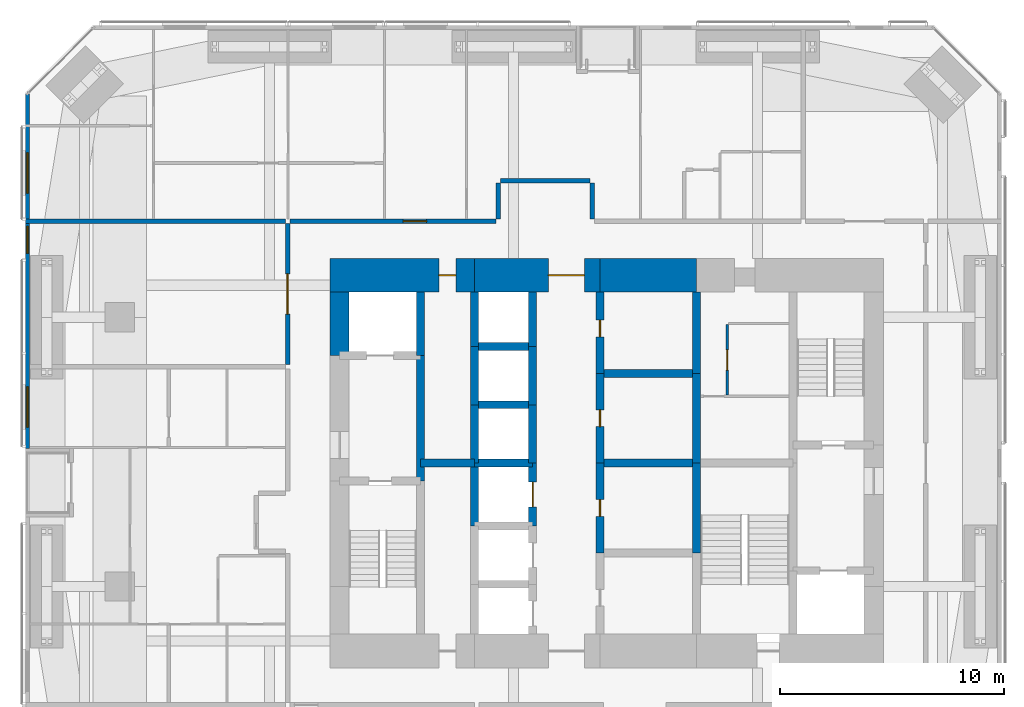
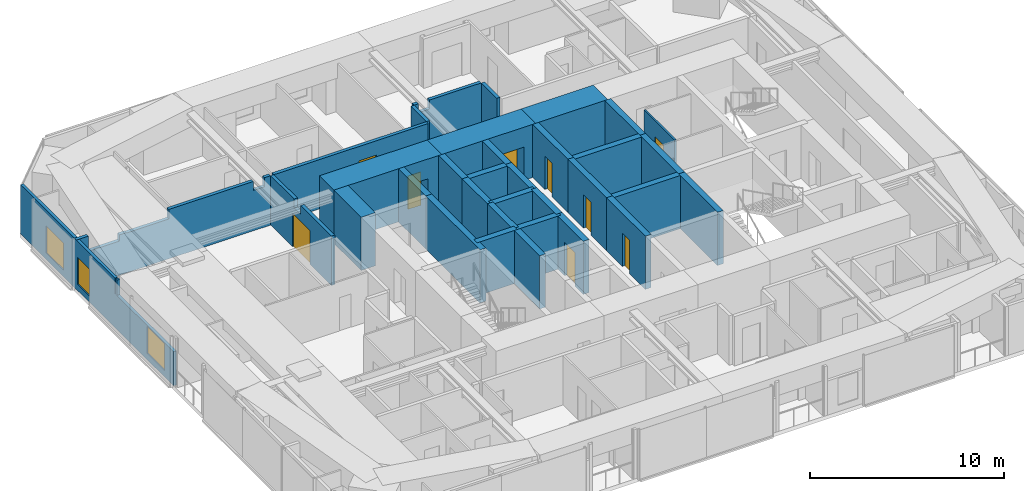
# One storey, part 19 of 23: 34 walls, 9 doors, 3 windows, 12 openings.
"""IFC4 building model written with IfcOpenShell, lengths in metres."""

from ifc_helpers import new_model, si_unit, direction, frame, frame_2d, origin, place, context, subcontext, project, spatial, polyline, rectangle, outline, extrude, material, layer, layer_set, constituent, constituent_set, type_object, element, fill, save


model = new_model("IFC4")

# Units and contexts
model_context = context("Model", 3, precision=1e-05, world=origin(), true_north=direction((0.0, 1.0)))
body_context = subcontext(model_context, "Body", "Model", "MODEL_VIEW")
ifc_project = project(units=[si_unit("LENGTHUNIT", "METRE"), si_unit("AREAUNIT", "SQUARE_METRE"), si_unit("VOLUMEUNIT", "CUBIC_METRE"), si_unit("PLANEANGLEUNIT", "RADIAN"), si_unit("MASSUNIT", "GRAM", prefix="KILO")], contexts=[model_context])

# Site, building, storey
site_placement = place(None, origin())
site = spatial("IfcSite", under=ifc_project, at=site_placement, CompositionType="ELEMENT")
building_placement = place(site_placement, origin())
building = spatial("IfcBuilding", under=site, at=building_placement, Name="Jalousie Tower", CompositionType="ELEMENT")
storey_placement = place(building_placement, frame((0.0, 0.0, 111.550048828125)))
storey = spatial("IfcBuildingStorey", under=building, at=storey_placement, Name="L30", CompositionType="ELEMENT", Elevation=111.550048828125)

# Wall
ifc_material_1 = material(Name="Concrete f'c 120 MPa", Category="concrete")
ifc_layer_1 = layer(ifc_material_1, 1.5)
ifc_layer_set_1 = layer_set([ifc_layer_1], Name="Concrete f'c 120 MPa")
wall_type_1 = type_object("IfcWallType", Name="CORE WALL 1500", PredefinedType="SHEAR", material=ifc_layer_set_1)
wall_1_placement = place(storey_placement, frame((35.89990234375, 26.875, 0.0), z_axis=(0.0, 0.0, 1.0), x_axis=(-1.0, 0.0, 0.0)))
element("IfcWall", 1, at=wall_1_placement, inside=storey, type_object=wall_type_1, Name="Core wall NB L30", PredefinedType="SHEAR", context=body_context, shape_type="SweptSolid", body=[
    extrude(rectangle(XDim=4.2998046875, YDim=1.5, at=frame_2d((2.14990234375, 0.0))), origin(), (0.0, 0.0, 1.0), 3.349853515625),
])

# Wall, opening, door
wall_2_placement = place(storey_placement, frame((31.60009765625, 26.875, 0.0), z_axis=(0.0, 0.0, 1.0), x_axis=(-1.0, 0.0, 0.0)))
wall_2 = element("IfcWall", 2, at=wall_2_placement, inside=storey, type_object=wall_type_1, Name="Core wall NC L30", PredefinedType="SHEAR", context=body_context, shape_type="SweptSolid", body=[
    extrude(rectangle(XDim=5.60009765625, YDim=1.5, at=frame_2d((2.800048828125, 0.0))), origin(), (0.0, 0.0, 1.0), 3.349853515625),
])
opening_1_placement = place(wall_2_placement, frame((0.699951171875, 0.0, 0.0)))
opening_1 = element("IfcOpeningElement", 3, at=opening_1_placement, cuts=wall_2, Name="Opening D15", PredefinedType="OPENING", context=body_context, shape_type="SweptSolid", body=[
    extrude(rectangle(XDim=1.60009765625, YDim=2.10009765625, at=frame_2d((0.800048828125, 1.050048828125))), frame((0.0, 0.760009765625, 0.0), z_axis=(0.0, -1.0, 0.0), x_axis=(1.0, 0.0, 0.0)), (0.0, 0.0, 1.0), 1.52001953125),
])
ifc_material_2 = material(Name="Steel fire door", Category="steel")
door_type_1 = type_object("IfcDoorType", Name="LIFT LOBBY DOOR 1600", OperationType="DOUBLE_DOOR_SINGLE_SWING", PredefinedType="DOOR", material=ifc_material_2)
door_1_placement = place(opening_1_placement, origin())
door_1 = element("IfcDoor", 4, at=door_1_placement, inside=storey, type_object=door_type_1, Name="Lift lobby north door", OperationType="DOUBLE_DOOR_SINGLE_SWING", OverallHeight=2.10009765625, OverallWidth=1.60009765625, PredefinedType="DOOR", context=body_context, shape_type="SweptSolid", body=[
    extrude(rectangle(XDim=1.60009765625, YDim=2.10009765625, at=frame_2d((0.800048828125, 1.050048828125))), frame((0.0, 0.02490234375, 0.0), z_axis=(0.0, -1.0, 0.0), x_axis=(1.0, 0.0, 0.0)), (0.0, 0.0, 1.0), 0.050048828125),
])
fill(opening_1, door_1)

wall_3_placement = place(storey_placement, frame((26.0, 26.875, 0.0), z_axis=(0.0, 0.0, 1.0), x_axis=(-1.0, 0.0, 0.0)))
wall_3 = element("IfcWall", 5, at=wall_3_placement, inside=storey, type_object=wall_type_1, Name="Core wall ND L30", PredefinedType="SHEAR", context=body_context, shape_type="SweptSolid", body=[
    extrude(rectangle(XDim=6.425048828125, YDim=1.5, at=frame_2d((3.21240234375, 0.0))), origin(), (0.0, 0.0, 1.0), 3.349853515625),
])
opening_2_placement = place(wall_3_placement, frame((0.824951171875, 0.0, 0.0)))
opening_2 = element("IfcOpeningElement", 6, at=opening_2_placement, cuts=wall_3, Name="Opening D16", PredefinedType="OPENING", context=body_context, shape_type="SweptSolid", body=[
    extrude(rectangle(XDim=0.75, YDim=2.10009765625, at=frame_2d((0.375, 1.050048828125))), frame((0.0, 0.760009765625, 0.0), z_axis=(0.0, -1.0, 0.0), x_axis=(1.0, 0.0, 0.0)), (0.0, 0.0, 1.0), 1.52001953125),
])
ifc_material_3 = material(Name="Steel fire door", Category="steel")
door_type_2 = type_object("IfcDoorType", Name="RISER DOOR 750", OperationType="SINGLE_SWING_LEFT", PredefinedType="DOOR", material=ifc_material_3)
door_2_placement = place(opening_2_placement, origin())
door_2 = element("IfcDoor", 7, at=door_2_placement, inside=storey, type_object=door_type_2, Name="North riser door", OperationType="SINGLE_SWING_RIGHT", OverallHeight=2.10009765625, OverallWidth=0.75, PredefinedType="DOOR", context=body_context, shape_type="SweptSolid", body=[
    extrude(rectangle(XDim=0.75, YDim=2.10009765625, at=frame_2d((0.375, 1.050048828125))), frame((0.0, 0.02490234375, 0.0), z_axis=(0.0, -1.0, 0.0), x_axis=(1.0, 0.0, 0.0)), (0.0, 0.0, 1.0), 0.050048828125),
])
fill(opening_2, door_2)

# Walls
ifc_material_4 = material(Name="Concrete f'c 120 MPa", Category="concrete")
ifc_layer_2 = layer(ifc_material_4, 0.35009765625)
ifc_layer_set_2 = layer_set([ifc_layer_2], Name="Concrete f'c 120 MPa")
wall_type_2 = type_object("IfcWallType", Name="CORE WALL 350", PredefinedType="SHEAR", material=ifc_layer_set_2)
wall_4_placement = place(storey_placement, frame((23.60009765625, 17.699951171875, 0.0), z_axis=(0.0, 0.0, 1.0), x_axis=(0.0, 1.0, 0.0)))
element("IfcWall", 8, at=wall_4_placement, inside=storey, type_object=wall_type_2, Name="Core wall X23.6B L30", PredefinedType="SHEAR", context=body_context, shape_type="SweptSolid", body=[
    extrude(rectangle(XDim=5.60009765625, YDim=0.35009765625, at=frame_2d((2.800048828125, 0.0))), origin(), (0.0, 0.0, 1.0), 3.349853515625),
])
wall_5_placement = place(storey_placement, frame((23.60009765625, 23.300048828125, 0.0), z_axis=(0.0, 0.0, 1.0), x_axis=(0.0, 1.0, 0.0)))
element("IfcWall", 9, at=wall_5_placement, inside=storey, type_object=wall_type_2, Name="Core wall X23.6C L30", PredefinedType="SHEAR", context=body_context, shape_type="SweptSolid", body=[
    extrude(rectangle(XDim=2.824951171875, YDim=0.35009765625, at=frame_2d((1.41259765625, 0.0))), origin(), (0.0, 0.0, 1.0), 3.349853515625),
])
wall_6_placement = place(storey_placement, frame((26.0, 15.699951171875, 0.0), z_axis=(0.0, 0.0, 1.0), x_axis=(0.0, 1.0, 0.0)))
element("IfcWall", 10, at=wall_6_placement, inside=storey, type_object=wall_type_2, Name="Core wall X26C L30", PredefinedType="SHEAR", context=body_context, shape_type="SweptSolid", body=[
    extrude(rectangle(XDim=2.800048828125, YDim=0.35009765625, at=frame_2d((1.39990234375, 0.0))), origin(), (0.0, 0.0, 1.0), 3.349853515625),
])
wall_7_placement = place(storey_placement, frame((26.0, 18.5, 0.0), z_axis=(0.0, 0.0, 1.0), x_axis=(0.0, 1.0, 0.0)))
element("IfcWall", 11, at=wall_7_placement, inside=storey, type_object=wall_type_2, Name="Core wall X26D L30", PredefinedType="SHEAR", context=body_context, shape_type="SweptSolid", body=[
    extrude(rectangle(XDim=2.60009765625, YDim=0.35009765625, at=frame_2d((1.300048828125, 0.0))), origin(), (0.0, 0.0, 1.0), 3.349853515625),
])
wall_8_placement = place(storey_placement, frame((26.0, 21.10009765625, 0.0), z_axis=(0.0, 0.0, 1.0), x_axis=(0.0, 1.0, 0.0)))
element("IfcWall", 12, at=wall_8_placement, inside=storey, type_object=wall_type_2, Name="Core wall X26E L30", PredefinedType="SHEAR", context=body_context, shape_type="SweptSolid", body=[
    extrude(rectangle(XDim=2.599853515625, YDim=0.35009765625, at=frame_2d((1.2998046875, 0.0))), origin(), (0.0, 0.0, 1.0), 3.349853515625),
])
wall_9_placement = place(storey_placement, frame((26.0, 23.699951171875, 0.0), z_axis=(0.0, 0.0, 1.0), x_axis=(0.0, 1.0, 0.0)))
element("IfcWall", 13, at=wall_9_placement, inside=storey, type_object=wall_type_2, Name="Core wall X26F L30", PredefinedType="SHEAR", context=body_context, shape_type="SweptSolid", body=[
    extrude(rectangle(XDim=2.425048828125, YDim=0.35009765625, at=frame_2d((1.21240234375, 0.0))), origin(), (0.0, 0.0, 1.0), 3.349853515625),
])

# Wall, opening, door
wall_10_placement = place(storey_placement, frame((28.60009765625, 15.699951171875, 0.0), z_axis=(0.0, 0.0, 1.0), x_axis=(0.0, 1.0, 0.0)))
wall_10 = element("IfcWall", 14, at=wall_10_placement, inside=storey, type_object=wall_type_2, Name="Core wall X28.6C L30", PredefinedType="SHEAR", context=body_context, shape_type="SweptSolid", body=[
    extrude(rectangle(XDim=2.800048828125, YDim=0.35009765625, at=frame_2d((1.39990234375, 0.0))), origin(), (0.0, 0.0, 1.0), 3.349853515625),
])
opening_3_placement = place(wall_10_placement, frame((0.85009765625, 0.0, 0.0)))
opening_3 = element("IfcOpeningElement", 15, at=opening_3_placement, cuts=wall_10, Name="Opening LD1", PredefinedType="OPENING", context=body_context, shape_type="SweptSolid", body=[
    extrude(rectangle(XDim=1.10009765625, YDim=2.10009765625, at=frame_2d((0.550048828125, 1.050048828125))), frame((0.0, 0.18505859375, 0.0), z_axis=(0.0, -1.0, 0.0), x_axis=(1.0, 0.0, 0.0)), (0.0, 0.0, 1.0), 0.3701171875),
])
ifc_material_5 = material(Name="Steel lift landing door", Category="steel")
door_type_3 = type_object("IfcDoorType", Name="LIFT LANDING DOOR 1100", OperationType="SLIDING_TO_LEFT", PredefinedType="DOOR", material=ifc_material_5)
door_3_placement = place(opening_3_placement, origin())
door_3 = element("IfcDoor", 16, at=door_3_placement, inside=storey, type_object=door_type_3, Name="Lift P3 landing door", OperationType="SLIDING_TO_LEFT", OverallHeight=2.10009765625, OverallWidth=1.10009765625, PredefinedType="DOOR", context=body_context, shape_type="SweptSolid", body=[
    extrude(rectangle(XDim=1.10009765625, YDim=2.10009765625, at=frame_2d((0.550048828125, 1.050048828125))), frame((0.0, 0.02490234375, 0.0), z_axis=(0.0, -1.0, 0.0), x_axis=(1.0, 0.0, 0.0)), (0.0, 0.0, 1.0), 0.050048828125),
])
fill(opening_3, door_3)

# Walls
wall_11_placement = place(storey_placement, frame((28.60009765625, 18.5, 0.0), z_axis=(0.0, 0.0, 1.0), x_axis=(0.0, 1.0, 0.0)))
element("IfcWall", 17, at=wall_11_placement, inside=storey, type_object=wall_type_2, Name="Core wall X28.6D L30", PredefinedType="SHEAR", context=body_context, shape_type="SweptSolid", body=[
    extrude(rectangle(XDim=2.60009765625, YDim=0.35009765625, at=frame_2d((1.300048828125, 0.0))), origin(), (0.0, 0.0, 1.0), 3.349853515625),
])
wall_12_placement = place(storey_placement, frame((28.60009765625, 21.10009765625, 0.0), z_axis=(0.0, 0.0, 1.0), x_axis=(0.0, 1.0, 0.0)))
element("IfcWall", 18, at=wall_12_placement, inside=storey, type_object=wall_type_2, Name="Core wall X28.6E L30", PredefinedType="SHEAR", context=body_context, shape_type="SweptSolid", body=[
    extrude(rectangle(XDim=2.599853515625, YDim=0.35009765625, at=frame_2d((1.2998046875, 0.0))), origin(), (0.0, 0.0, 1.0), 3.349853515625),
])
wall_13_placement = place(storey_placement, frame((28.60009765625, 23.699951171875, 0.0), z_axis=(0.0, 0.0, 1.0), x_axis=(0.0, 1.0, 0.0)))
element("IfcWall", 19, at=wall_13_placement, inside=storey, type_object=wall_type_2, Name="Core wall X28.6F L30", PredefinedType="SHEAR", context=body_context, shape_type="SweptSolid", body=[
    extrude(rectangle(XDim=2.425048828125, YDim=0.35009765625, at=frame_2d((1.21240234375, 0.0))), origin(), (0.0, 0.0, 1.0), 3.349853515625),
])

# Wall, opening, door
wall_14_placement = place(storey_placement, frame((31.60009765625, 14.5, 0.0), z_axis=(0.0, 0.0, 1.0), x_axis=(0.0, 1.0, 0.0)))
wall_14 = element("IfcWall", 20, at=wall_14_placement, inside=storey, type_object=wall_type_2, Name="Core wall X31.6B L30", PredefinedType="SHEAR", context=body_context, shape_type="SweptSolid", body=[
    extrude(rectangle(XDim=4.0, YDim=0.35009765625, at=frame_2d((2.0, 0.0))), origin(), (0.0, 0.0, 1.0), 3.349853515625),
])
opening_4_placement = place(wall_14_placement, frame((1.625, 0.0, 0.0)))
opening_4 = element("IfcOpeningElement", 21, at=opening_4_placement, cuts=wall_14, Name="Opening D16", PredefinedType="OPENING", context=body_context, shape_type="SweptSolid", body=[
    extrude(rectangle(XDim=0.75, YDim=2.10009765625, at=frame_2d((0.375, 1.050048828125))), frame((0.0, 0.18505859375, 0.0), z_axis=(0.0, -1.0, 0.0), x_axis=(1.0, 0.0, 0.0)), (0.0, 0.0, 1.0), 0.3701171875),
])
door_4_placement = place(opening_4_placement, frame((0.75, 0.0, 0.0), z_axis=(0.0, 0.0, 1.0), x_axis=(-1.0, 0.0, 0.0)))
door_4 = element("IfcDoor", 22, at=door_4_placement, inside=storey, type_object=door_type_2, Name="Electrical Room door", OperationType="SINGLE_SWING_RIGHT", OverallHeight=2.10009765625, OverallWidth=0.75, PredefinedType="DOOR", context=body_context, shape_type="SweptSolid", body=[
    extrude(rectangle(XDim=0.75, YDim=2.10009765625, at=frame_2d((0.375, 1.050048828125))), frame((0.0, 0.02490234375, 0.0), z_axis=(0.0, -1.0, 0.0), x_axis=(1.0, 0.0, 0.0)), (0.0, 0.0, 1.0), 0.050048828125),
])
fill(opening_4, door_4)

wall_15_placement = place(storey_placement, frame((31.60009765625, 18.5, 0.0), z_axis=(0.0, 0.0, 1.0), x_axis=(0.0, 1.0, 0.0)))
wall_15 = element("IfcWall", 23, at=wall_15_placement, inside=storey, type_object=wall_type_2, Name="Core wall X31.6C L30", PredefinedType="SHEAR", context=body_context, shape_type="SweptSolid", body=[
    extrude(rectangle(XDim=4.0, YDim=0.35009765625, at=frame_2d((2.0, 0.0))), origin(), (0.0, 0.0, 1.0), 3.349853515625),
])
opening_5_placement = place(wall_15_placement, frame((1.625, 0.0, 0.0)))
opening_5 = element("IfcOpeningElement", 24, at=opening_5_placement, cuts=wall_15, Name="Opening D16", PredefinedType="OPENING", context=body_context, shape_type="SweptSolid", body=[
    extrude(rectangle(XDim=0.75, YDim=2.10009765625, at=frame_2d((0.375, 1.050048828125))), frame((0.0, 0.18505859375, 0.0), z_axis=(0.0, -1.0, 0.0), x_axis=(1.0, 0.0, 0.0)), (0.0, 0.0, 1.0), 0.3701171875),
])
door_5_placement = place(opening_5_placement, frame((0.75, 0.0, 0.0), z_axis=(0.0, 0.0, 1.0), x_axis=(-1.0, 0.0, 0.0)))
door_5 = element("IfcDoor", 25, at=door_5_placement, inside=storey, type_object=door_type_2, Name="Telecom Room door", OperationType="SINGLE_SWING_RIGHT", OverallHeight=2.10009765625, OverallWidth=0.75, PredefinedType="DOOR", context=body_context, shape_type="SweptSolid", body=[
    extrude(rectangle(XDim=0.75, YDim=2.10009765625, at=frame_2d((0.375, 1.050048828125))), frame((0.0, 0.02490234375, 0.0), z_axis=(0.0, -1.0, 0.0), x_axis=(1.0, 0.0, 0.0)), (0.0, 0.0, 1.0), 0.050048828125),
])
fill(opening_5, door_5)

wall_16_placement = place(storey_placement, frame((31.60009765625, 22.5, 0.0), z_axis=(0.0, 0.0, 1.0), x_axis=(0.0, 1.0, 0.0)))
wall_16 = element("IfcWall", 26, at=wall_16_placement, inside=storey, type_object=wall_type_2, Name="Core wall X31.6D L30", PredefinedType="SHEAR", context=body_context, shape_type="SweptSolid", body=[
    extrude(rectangle(XDim=3.625, YDim=0.35009765625, at=frame_2d((1.8125, 0.0))), origin(), (0.0, 0.0, 1.0), 3.349853515625),
])
opening_6_placement = place(wall_16_placement, frame((1.625, 0.0, 0.0)))
opening_6 = element("IfcOpeningElement", 27, at=opening_6_placement, cuts=wall_16, Name="Opening D16", PredefinedType="OPENING", context=body_context, shape_type="SweptSolid", body=[
    extrude(rectangle(XDim=0.75, YDim=2.10009765625, at=frame_2d((0.375, 1.050048828125))), frame((0.0, 0.18505859375, 0.0), z_axis=(0.0, -1.0, 0.0), x_axis=(1.0, 0.0, 0.0)), (0.0, 0.0, 1.0), 0.3701171875),
])
door_6_placement = place(opening_6_placement, frame((0.75, 0.0, 0.0), z_axis=(0.0, 0.0, 1.0), x_axis=(-1.0, 0.0, 0.0)))
door_6 = element("IfcDoor", 28, at=door_6_placement, inside=storey, type_object=door_type_2, Name="Water Services Room door", OperationType="SINGLE_SWING_LEFT", OverallHeight=2.10009765625, OverallWidth=0.75, PredefinedType="DOOR", context=body_context, shape_type="SweptSolid", body=[
    extrude(rectangle(XDim=0.75, YDim=2.10009765625, at=frame_2d((0.375, 1.050048828125))), frame((0.0, 0.02490234375, 0.0), z_axis=(0.0, -1.0, 0.0), x_axis=(1.0, 0.0, 0.0)), (0.0, 0.0, 1.0), 0.050048828125),
])
fill(opening_6, door_6)

# Walls
for number, where, z_axis, x_axis, name in (
    (29, (35.89990234375, 14.5, 0.0), (0.0, 0.0, 1.0), (0.0, 1.0, 0.0), "Core wall X35.9B L30"),
    (30, (35.89990234375, 18.5, 0.0), (0.0, 0.0, 1.0), (0.0, 1.0, 0.0), "Core wall X35.9C L30"),
):
    element("IfcWall", number, at=place(storey_placement, frame(where, z_axis=z_axis, x_axis=x_axis)), inside=storey, type_object=wall_type_2, Name=name, PredefinedType="SHEAR", context=body_context, shape_type="SweptSolid", body=[
        extrude(rectangle(XDim=4.0, YDim=0.35009765625, at=frame_2d((2.0, 0.0))), origin(), (0.0, 0.0, 1.0), 3.349853515625),
    ])
wall_17_placement = place(storey_placement, frame((35.89990234375, 22.5, 0.0), z_axis=(0.0, 0.0, 1.0), x_axis=(0.0, 1.0, 0.0)))
element("IfcWall", 31, at=wall_17_placement, inside=storey, type_object=wall_type_2, Name="Core wall X35.9D L30", PredefinedType="SHEAR", context=body_context, shape_type="SweptSolid", body=[
    extrude(rectangle(XDim=3.625, YDim=0.35009765625, at=frame_2d((1.8125, 0.0))), origin(), (0.0, 0.0, 1.0), 3.349853515625),
])
wall_18_placement = place(storey_placement, frame((23.60009765625, 18.5, 0.0), z_axis=(0.0, 0.0, 1.0), x_axis=(1.0, 0.0, 0.0)))
element("IfcWall", 32, at=wall_18_placement, inside=storey, type_object=wall_type_2, Name="Core wall Y23.6-18.5 L30", PredefinedType="SHEAR", context=body_context, shape_type="SweptSolid", body=[
    extrude(rectangle(XDim=2.39990234375, YDim=0.35009765625, at=frame_2d((1.199951171875, 0.0))), origin(), (0.0, 0.0, 1.0), 3.349853515625),
])
for number, where, z_axis, x_axis, name in (
    (33, (26.0, 18.5, 0.0), (0.0, 0.0, 1.0), (1.0, 0.0, 0.0), "Core wall Y26-18.5 L30"),
    (34, (26.0, 21.10009765625, 0.0), (0.0, 0.0, 1.0), (1.0, 0.0, 0.0), "Core wall Y26-21.1 L30"),
    (35, (26.0, 23.699951171875, 0.0), (0.0, 0.0, 1.0), (1.0, 0.0, 0.0), "Core wall Y26-23.7 L30"),
):
    element("IfcWall", number, at=place(storey_placement, frame(where, z_axis=z_axis, x_axis=x_axis)), inside=storey, type_object=wall_type_2, Name=name, PredefinedType="SHEAR", context=body_context, shape_type="SweptSolid", body=[
        extrude(rectangle(XDim=2.60009765625, YDim=0.35009765625, at=frame_2d((1.300048828125, 0.0))), origin(), (0.0, 0.0, 1.0), 3.349853515625),
    ])
for number, where, z_axis, x_axis, name in (
    (36, (31.60009765625, 18.5, 0.0), (0.0, 0.0, 1.0), (1.0, 0.0, 0.0), "Core wall Y31.6-18.5 L30"),
    (37, (31.60009765625, 22.5, 0.0), (0.0, 0.0, 1.0), (1.0, 0.0, 0.0), "Core wall Y31.6-22.5 L30"),
):
    element("IfcWall", number, at=place(storey_placement, frame(where, z_axis=z_axis, x_axis=x_axis)), inside=storey, type_object=wall_type_2, Name=name, PredefinedType="SHEAR", context=body_context, shape_type="SweptSolid", body=[
        extrude(rectangle(XDim=4.2998046875, YDim=0.35009765625, at=frame_2d((2.14990234375, 0.0))), origin(), (0.0, 0.0, 1.0), 3.349853515625),
    ])
ifc_material_6 = material(Name="Concrete f'c 120 MPa", Category="concrete")
ifc_layer_3 = layer(ifc_material_6, 0.85009765625)
ifc_layer_set_3 = layer_set([ifc_layer_3], Name="Concrete f'c 120 MPa")
wall_type_3 = type_object("IfcWallType", Name="CORE WALL 850", PredefinedType="SHEAR", material=ifc_layer_set_3)
wall_19_placement = place(storey_placement, frame((20.0, 26.125, 0.0), z_axis=(0.0, 0.0, 1.0), x_axis=(0.0, -1.0, 0.0)))
element("IfcWall", 38, at=wall_19_placement, inside=storey, type_object=wall_type_3, Name="Core wall WA L30", PredefinedType="SHEAR", context=body_context, shape_type="SweptSolid", body=[
    extrude(rectangle(XDim=2.824951171875, YDim=0.85009765625, at=frame_2d((1.41259765625, 0.0))), origin(), (0.0, 0.0, 1.0), 3.349853515625),
])

# Wall, opening, door
ifc_material_7 = material(Name="Concrete block ASTM C90", Category="concrete")
ifc_constituent_1 = constituent(ifc_material_7, Name="Body")
ifc_material_8 = material(Name="Render")
ifc_constituent_2 = constituent(ifc_material_8, Name="Finish")
ifc_constituent_set_1 = constituent_set(constituents=[ifc_constituent_1, ifc_constituent_2])
wall_type_4 = type_object("IfcWallType", Name="CORRIDOR WALL 200", PredefinedType="PARTITIONING", material=ifc_constituent_set_1)
wall_20_placement = place(storey_placement, frame((17.77490234375, 29.27490234375, 0.0), z_axis=(0.0, 0.0, 1.0), x_axis=(1.0, 0.0, 0.0)))
wall_20 = element("IfcWall", 39, at=wall_20_placement, inside=storey, type_object=wall_type_4, Name="Corridor Wall 200 L30", PredefinedType="PARTITIONING", context=body_context, shape_type="SweptSolid", body=[
    extrude(rectangle(XDim=9.1875, YDim=0.199951171875, at=frame_2d((4.59375, 0.0))), origin(), (0.0, 0.0, 1.0), 3.10986328125),
])
opening_7_placement = place(wall_20_placement, frame((5.050048828125, 0.0, 0.0)))
opening_7 = element("IfcOpeningElement", 40, at=opening_7_placement, cuts=wall_20, Name="Opening D1", PredefinedType="OPENING", context=body_context, shape_type="SweptSolid", body=[
    extrude(rectangle(XDim=1.050048828125, YDim=2.199951171875, at=frame_2d((0.52490234375, 1.10009765625))), frame((0.0, 0.10986328125, 0.0), z_axis=(0.0, -1.0, 0.0), x_axis=(1.0, 0.0, 0.0)), (0.0, 0.0, 1.0), 0.219970703125),
])
ifc_material_9 = material(Name="Timber fire door", Category="wood")
door_type_4 = type_object("IfcDoorType", Name="APARTMENT ENTRANCE DOOR 1050", OperationType="SINGLE_SWING_LEFT", PredefinedType="DOOR", material=ifc_material_9)
door_7_placement = place(opening_7_placement, origin())
door_7 = element("IfcDoor", 41, at=door_7_placement, inside=storey, type_object=door_type_4, Name="Apartment 3004 entrance", OperationType="SINGLE_SWING_LEFT", OverallHeight=2.199951171875, OverallWidth=1.050048828125, PredefinedType="DOOR", context=body_context, shape_type="SweptSolid", body=[
    extrude(rectangle(XDim=1.050048828125, YDim=2.199951171875, at=frame_2d((0.52490234375, 1.10009765625))), frame((0.0, 0.02490234375, 0.0), z_axis=(0.0, -1.0, 0.0), x_axis=(1.0, 0.0, 0.0)), (0.0, 0.0, 1.0), 0.050048828125),
])
fill(opening_7, door_7)

wall_21_placement = place(storey_placement, frame((17.675048828125, 22.89990234375, 0.0), z_axis=(0.0, 0.0, 1.0), x_axis=(0.0, 1.0, 0.0)))
wall_21 = element("IfcWall", 42, at=wall_21_placement, inside=storey, type_object=wall_type_4, Name="Corridor Wall 200 L30", PredefinedType="PARTITIONING", context=body_context, shape_type="SweptSolid", body=[
    extrude(outline(polyline([(0.0, 0.0), (6.275146484375, 0.0), (6.27490234375, 3.10986328125), (3.8623046875, 3.10986328125), (3.8623046875, 2.541015625), (3.1875, 2.541015625), (3.1875, 3.10986328125), (0.0, 3.10986328125), (0.0, 0.0)])), frame((0.0, 0.10009765625, 0.0), z_axis=(0.0, -1.0, 0.0), x_axis=(1.0, 0.0, 0.0)), (0.0, 0.0, 1.0), 0.199951171875),
])
opening_8_placement = place(wall_21_placement, frame((2.237548828125, 0.0, 0.0)))
opening_8 = element("IfcOpeningElement", 43, at=opening_8_placement, cuts=wall_21, Name="Opening D22", PredefinedType="OPENING", context=body_context, shape_type="SweptSolid", body=[
    extrude(rectangle(XDim=1.800048828125, YDim=2.10009765625, at=frame_2d((0.89990234375, 1.050048828125))), frame((0.0, 0.10986328125, 0.0), z_axis=(0.0, -1.0, 0.0), x_axis=(1.0, 0.0, 0.0)), (0.0, 0.0, 1.0), 0.219970703125),
])
ifc_material_10 = material(Name="Timber fire door", Category="wood")
door_type_5 = type_object("IfcDoorType", Name="CORRIDOR DOUBLE DOOR 1800", OperationType="DOUBLE_DOOR_SINGLE_SWING", PredefinedType="DOOR", material=ifc_material_10)
door_8_placement = place(opening_8_placement, origin())
door_8 = element("IfcDoor", 44, at=door_8_placement, inside=storey, type_object=door_type_5, Name="Residents' library door", OperationType="DOUBLE_DOOR_SINGLE_SWING", OverallHeight=2.10009765625, OverallWidth=1.800048828125, PredefinedType="DOOR", context=body_context, shape_type="SweptSolid", body=[
    extrude(rectangle(XDim=1.800048828125, YDim=2.10009765625, at=frame_2d((0.89990234375, 1.050048828125))), frame((0.0, 0.02490234375, 0.0), z_axis=(0.0, -1.0, 0.0), x_axis=(1.0, 0.0, 0.0)), (0.0, 0.0, 1.0), 0.050048828125),
])
fill(opening_8, door_8)

# Walls
wall_22_placement = place(storey_placement, frame((27.16259765625, 31.074951171875, 0.0), z_axis=(0.0, 0.0, 1.0), x_axis=(1.0, 0.0, 0.0)))
element("IfcWall", 45, at=wall_22_placement, inside=storey, type_object=wall_type_4, Name="Corridor Wall 200 L30", PredefinedType="PARTITIONING", context=body_context, shape_type="SweptSolid", body=[
    extrude(outline(polyline([(0.0, 0.0), (4.0, 0.0), (4.0, 3.10986328125), (0.9248046875, 3.10986328125), (0.9248046875, 2.541015625), (0.25, 2.541015625), (0.25, 3.10986328125), (0.0, 3.10986328125), (0.0, 0.0)])), frame((0.0, 0.10009765625, 0.0), z_axis=(0.0, -1.0, 0.0), x_axis=(1.0, 0.0, 0.0)), (0.0, 0.0, 1.0), 0.199951171875),
])
for number, where, z_axis, x_axis, name in (
    (46, (27.0625, 29.375, 0.0), (0.0, 0.0, 1.0), (0.0, 1.0, 0.0), "Corridor Wall 200 L30"),
    (47, (31.262451171875, 29.375, 0.0), (0.0, 0.0, 1.0), (0.0, 1.0, 0.0), "Corridor Wall 200 L30"),
):
    element("IfcWall", number, at=place(storey_placement, frame(where, z_axis=z_axis, x_axis=x_axis)), inside=storey, type_object=wall_type_4, Name=name, PredefinedType="PARTITIONING", context=body_context, shape_type="SweptSolid", body=[
        extrude(rectangle(XDim=1.60009765625, YDim=0.199951171875, at=frame_2d((0.800048828125, 0.0))), origin(), (0.0, 0.0, 1.0), 3.10986328125),
    ])

# Wall, openings, windows
ifc_material_11 = material(Name="Concrete f'c 40 MPa", Category="concrete")
ifc_constituent_3 = constituent(ifc_material_11, Name="Body")
ifc_material_12 = material(Name="Render, pastel sea green")
ifc_constituent_4 = constituent(ifc_material_12, Name="Finish")
ifc_constituent_set_2 = constituent_set(constituents=[ifc_constituent_3, ifc_constituent_4])
wall_type_5 = type_object("IfcWallType", Name="EXTERNAL WALL 175 SEA GREEN RENDER", PredefinedType="SOLIDWALL", material=ifc_constituent_set_2)
wall_23_placement = place(storey_placement, frame((6.08740234375, 34.94873046875, 0.0), z_axis=(0.0, 0.0, 1.0), x_axis=(0.0, -1.0, 0.0)))
wall_23 = element("IfcWall", 48, at=wall_23_placement, inside=storey, type_object=wall_type_5, Name="External Wall 175 Sea Green Render L30", PredefinedType="SOLIDWALL", context=body_context, shape_type="SweptSolid", body=[
    extrude(outline(polyline([(0.0, 0.0), (15.798828125, 0.0), (15.798583984375, 2.14990234375), (9.94873046875, 2.14990234375), (9.94873046875, 3.10986328125), (9.822998046875, 3.10986328125), (9.822998046875, 2.14990234375), (9.72998046875, 2.14990234375), (9.72998046875, 3.10986328125), (0.0, 3.10986328125), (0.0, 0.0)])), frame((0.0, 0.08740234375, 0.0), z_axis=(0.0, -1.0, 0.0), x_axis=(1.0, 0.0, 0.0)), (0.0, 0.0, 1.0), 0.175048828125),
])
opening_9_placement = place(wall_23_placement, frame((2.6181640625, 0.0, 0.39990234375)))
opening_9 = element("IfcOpeningElement", 49, at=opening_9_placement, cuts=wall_23, Name="Opening W-BED170", PredefinedType="OPENING", context=body_context, shape_type="SweptSolid", body=[
    extrude(rectangle(XDim=1.800048828125, YDim=1.699951171875, at=frame_2d((0.89990234375, 0.85009765625))), frame((0.0, 0.097412109375, 0.0), z_axis=(0.0, -1.0, 0.0), x_axis=(1.0, 0.0, 0.0)), (0.0, 0.0, 1.0), 0.195068359375),
])
opening_10_placement = place(wall_23_placement, frame((5.898681640625, 0.0, 0.39990234375)))
opening_10 = element("IfcOpeningElement", 50, at=opening_10_placement, cuts=wall_23, Name="Opening W-COR170", PredefinedType="OPENING", context=body_context, shape_type="SweptSolid", body=[
    extrude(rectangle(XDim=1.199951171875, YDim=1.699951171875, at=frame_2d((0.60009765625, 0.85009765625))), frame((0.0, 0.097412109375, 0.0), z_axis=(0.0, -1.0, 0.0), x_axis=(1.0, 0.0, 0.0)), (0.0, 0.0, 1.0), 0.195068359375),
])
opening_11_placement = place(wall_23_placement, frame((13.048583984375, 0.0, 0.39990234375)))
opening_11 = element("IfcOpeningElement", 51, at=opening_11_placement, cuts=wall_23, Name="Opening W-BED170", PredefinedType="OPENING", context=body_context, shape_type="SweptSolid", body=[
    extrude(rectangle(XDim=1.800048828125, YDim=1.699951171875, at=frame_2d((0.89990234375, 0.85009765625))), frame((0.0, 0.097412109375, 0.0), z_axis=(0.0, -1.0, 0.0), x_axis=(1.0, 0.0, 0.0)), (0.0, 0.0, 1.0), 0.195068359375),
])
ifc_material_13 = material(Name="Aluminium frame, impact-rated glazing", Category="aluminium")
window_type_1 = type_object("IfcWindowType", Name="WINDOW BED 1800x1700", PartitioningType="SINGLE_PANEL", PredefinedType="WINDOW", material=ifc_material_13)
window_1_placement = place(opening_9_placement, origin())
window_1 = element("IfcWindow", 52, at=window_1_placement, inside=storey, type_object=window_type_1, Name="Apartment 3004 bedroom 1 window", OverallHeight=1.699951171875, OverallWidth=1.800048828125, PartitioningType="SINGLE_PANEL", PredefinedType="WINDOW", context=body_context, shape_type="SweptSolid", body=[
    extrude(rectangle(XDim=1.800048828125, YDim=1.699951171875, at=frame_2d((0.89990234375, 0.85009765625))), frame((0.0, 0.030029296875, 0.0), z_axis=(0.0, -1.0, 0.0), x_axis=(1.0, 0.0, 0.0)), (0.0, 0.0, 1.0), 0.06005859375),
])
fill(opening_9, window_1)
window_2_placement = place(opening_11_placement, origin())
window_2 = element("IfcWindow", 53, at=window_2_placement, inside=storey, type_object=window_type_1, Name="Apartment 3005 bedroom 2 window", OverallHeight=1.699951171875, OverallWidth=1.800048828125, PartitioningType="SINGLE_PANEL", PredefinedType="WINDOW", context=body_context, shape_type="SweptSolid", body=[
    extrude(rectangle(XDim=1.800048828125, YDim=1.699951171875, at=frame_2d((0.89990234375, 0.85009765625))), frame((0.0, 0.030029296875, 0.0), z_axis=(0.0, -1.0, 0.0), x_axis=(1.0, 0.0, 0.0)), (0.0, 0.0, 1.0), 0.06005859375),
])
fill(opening_11, window_2)
ifc_material_14 = material(Name="Aluminium frame, impact-rated glazing", Category="aluminium")
window_type_2 = type_object("IfcWindowType", Name="WINDOW COR 1200x1700", PartitioningType="SINGLE_PANEL", PredefinedType="WINDOW", material=ifc_material_14)
window_3_placement = place(opening_10_placement, origin())
window_3 = element("IfcWindow", 54, at=window_3_placement, inside=storey, type_object=window_type_2, Name="Residents' library window", OverallHeight=1.699951171875, OverallWidth=1.199951171875, PartitioningType="SINGLE_PANEL", PredefinedType="WINDOW", context=body_context, shape_type="SweptSolid", body=[
    extrude(rectangle(XDim=1.199951171875, YDim=1.699951171875, at=frame_2d((0.60009765625, 0.85009765625))), frame((0.0, 0.030029296875, 0.0), z_axis=(0.0, -1.0, 0.0), x_axis=(1.0, 0.0, 0.0)), (0.0, 0.0, 1.0), 0.06005859375),
])
fill(opening_10, window_3)

# Wall, opening, door
ifc_material_15 = material(Name="Gypsum board", Category="gypsum")
ifc_constituent_5 = constituent(ifc_material_15, Name="Body")
ifc_material_16 = material(Name="Light-gauge steel studs ASTM A653 SS Grade 33", Category="steel")
ifc_constituent_6 = constituent(ifc_material_16, Name="Framing")
ifc_constituent_set_3 = constituent_set(constituents=[ifc_constituent_5, ifc_constituent_6])
wall_type_6 = type_object("IfcWallType", Name="PARTITION 100", PredefinedType="PARTITIONING", material=ifc_constituent_set_3)
wall_24_placement = place(storey_placement, frame((37.27490234375, 21.52490234375, 0.0), z_axis=(0.0, 0.0, 1.0), x_axis=(0.0, 1.0, 0.0)))
wall_24 = element("IfcWall", 55, at=wall_24_placement, inside=storey, type_object=wall_type_6, Name="Partition 100 L30", PredefinedType="PARTITIONING", context=body_context, shape_type="SweptSolid", body=[
    extrude(rectangle(XDim=3.150146484375, YDim=0.10009765625, at=frame_2d((1.5751953125, 0.0))), origin(), (0.0, 0.0, 1.0), 3.10986328125),
])
opening_12_placement = place(wall_24_placement, frame((1.125, 0.0, 0.0)))
opening_12 = element("IfcOpeningElement", 56, at=opening_12_placement, cuts=wall_24, Name="Opening D7", PredefinedType="OPENING", context=body_context, shape_type="SweptSolid", body=[
    extrude(rectangle(XDim=0.89990234375, YDim=2.10009765625, at=frame_2d((0.449951171875, 1.050048828125))), frame((0.0, 0.06005859375, 0.0), z_axis=(0.0, -1.0, 0.0), x_axis=(1.0, 0.0, 0.0)), (0.0, 0.0, 1.0), 0.1201171875),
])
ifc_material_17 = material(Name="Timber door", Category="wood")
door_type_6 = type_object("IfcDoorType", Name="INTERNAL DOOR 900", OperationType="SINGLE_SWING_LEFT", PredefinedType="DOOR", material=ifc_material_17)
door_9_placement = place(opening_12_placement, frame((0.89990234375, 0.0, 0.0), z_axis=(0.0, 0.0, 1.0), x_axis=(-1.0, 0.0, 0.0)))
door_9 = element("IfcDoor", 57, at=door_9_placement, inside=storey, type_object=door_type_6, Name="Ice and vending room door", OperationType="SINGLE_SWING_RIGHT", OverallHeight=2.10009765625, OverallWidth=0.89990234375, PredefinedType="DOOR", context=body_context, shape_type="SweptSolid", body=[
    extrude(rectangle(XDim=0.89990234375, YDim=2.10009765625, at=frame_2d((0.449951171875, 1.050048828125))), frame((0.0, 0.02490234375, 0.0), z_axis=(0.0, -1.0, 0.0), x_axis=(1.0, 0.0, 0.0)), (0.0, 0.0, 1.0), 0.050048828125),
])
fill(opening_12, door_9)

# Wall
ifc_material_18 = material(Name="Concrete block ASTM C90", Category="concrete")
ifc_constituent_7 = constituent(ifc_material_18, Name="Body")
ifc_material_19 = material(Name="Render")
ifc_constituent_8 = constituent(ifc_material_19, Name="Finish")
ifc_constituent_set_4 = constituent_set(constituents=[ifc_constituent_7, ifc_constituent_8])
wall_type_7 = type_object("IfcWallType", Name="PARTY WALL 200", PredefinedType="PARTITIONING", material=ifc_constituent_set_4)
wall_25_placement = place(storey_placement, frame((6.0, 29.27490234375, 0.0), z_axis=(0.0, 0.0, 1.0), x_axis=(1.0, 0.0, 0.0)))
element("IfcWall", 58, at=wall_25_placement, inside=storey, type_object=wall_type_7, Name="Party Wall 200 L30", PredefinedType="PARTITIONING", context=body_context, shape_type="SweptSolid", body=[
    extrude(outline(polyline([(0.0, 0.0), (11.574951171875, 0.0), (11.574951171875, 3.10986328125), (11.21240234375, 3.10986328125), (11.21240234375, 2.541015625), (10.53759765625, 2.541015625), (10.53759765625, 3.10986328125), (5.510009765625, 3.10986328125), (5.510009765625, 2.510009765625), (2.96875, 2.510009765625), (2.96875, 2.541015625), (2.565185546875, 2.541015625), (2.565185546875, 2.14990234375), (0.721435546875, 2.14990234375), (0.721435546875, 3.10986328125), (0.0, 3.10986328125), (0.0, 0.0)])), frame((0.0, 0.10009765625, 0.0), z_axis=(0.0, -1.0, 0.0), x_axis=(1.0, 0.0, 0.0)), (0.0, 0.0, 1.0), 0.199951171875),
])

save(model, "model.ifc")
